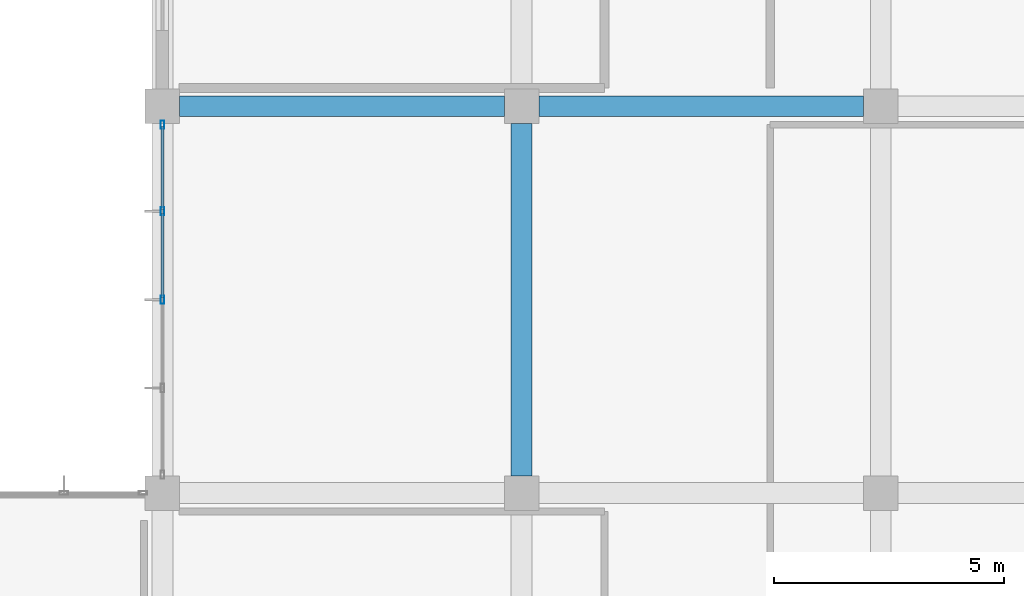
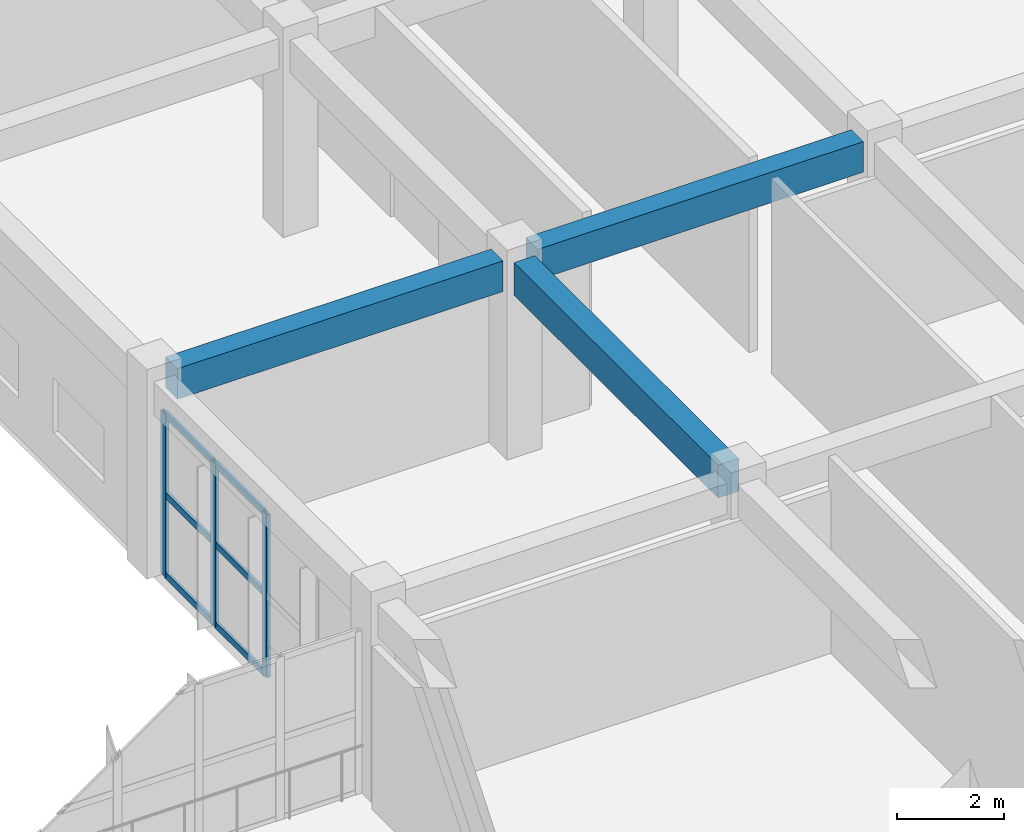
# One storey, part 49 of 167: 9 members, 3 beams, 1 element without a shape of its own.
"""IFC4 building model written with IfcOpenShell, lengths in metres."""

from ifc_helpers import new_model, si_unit, direction, frame, origin, origin_2d, place, context, subcontext, project, spatial, rectangle, hollow_rectangle, extrude, material, layer, layer_set, material_profile, profile_set, type_object, element, aggregate, save


model = new_model("IFC4")

# Units and contexts
model_context = context("Model", 3, precision=1e-05, world=origin(), true_north=direction((0.0, 1.0)))
body_context = subcontext(model_context, "Body", "Model", "MODEL_VIEW")
ifc_project = project(units=[si_unit("LENGTHUNIT", "METRE"), si_unit("AREAUNIT", "SQUARE_METRE"), si_unit("VOLUMEUNIT", "CUBIC_METRE"), si_unit("PLANEANGLEUNIT", "RADIAN"), si_unit("MASSUNIT", "GRAM", prefix="KILO")], contexts=[model_context])

# Site, building, storey
site_placement = place(None, origin())
site = spatial("IfcSite", under=ifc_project, at=site_placement, CompositionType="ELEMENT")
building_placement = place(site_placement, origin())
building = spatial("IfcBuilding", under=site, at=building_placement, Name="Zizhar Promenade General Hospital", CompositionType="ELEMENT")
storey_placement = place(building_placement, frame((0.0, 0.0, 9.60009765625)))
storey = spatial("IfcBuildingStorey", under=building, at=storey_placement, Name="L02", CompositionType="ELEMENT", Elevation=9.60009765625)

# Beams
ifc_material_1 = material(Name="Concrete C35/45", Category="concrete")
ifc_material_profile_1 = material_profile(ifc_material_1, rectangle(XDim=0.449951171875, YDim=0.699951171875, at=origin_2d()))
ifc_profile_set_1 = profile_set([ifc_material_profile_1], Name="Concrete C35/45")
beam_type_1 = type_object("IfcBeamType", Name="BM-RC-450x700", PredefinedType="BEAM", material=ifc_profile_set_1)
beam_1_placement = place(storey_placement, frame((47.175048828125, 92.39990234375, 4.119873046875), z_axis=(1.0, 0.0, 0.0), x_axis=(0.0, 1.0, 0.0)))
element("IfcBeam", 1, at=beam_1_placement, inside=storey, type_object=beam_type_1, Name="Grid Beam X L02 (6-11)", PredefinedType="BEAM", context=body_context, shape_type="SweptSolid", body=[
    extrude(rectangle(XDim=0.449951171875, YDim=0.699951171875, at=origin_2d()), origin(), (0.0, 0.0, 1.0), 7.050048828125),
])
beam_2_placement = place(storey_placement, frame((54.97509765625, 92.39990234375, 4.119873046875), z_axis=(1.0, 0.0, 0.0), x_axis=(0.0, 1.0, 0.0)))
element("IfcBeam", 2, at=beam_2_placement, inside=storey, type_object=beam_type_1, Name="Grid Beam X L02 (7-11)", PredefinedType="BEAM", context=body_context, shape_type="SweptSolid", body=[
    extrude(rectangle(XDim=0.449951171875, YDim=0.699951171875, at=origin_2d()), origin(), (0.0, 0.0, 1.0), 7.0498046875),
])
ifc_material_2 = material(Name="Concrete C35/45", Category="concrete")
ifc_material_profile_2 = material_profile(ifc_material_2, rectangle(XDim=0.449951171875, YDim=0.75, at=origin_2d()))
ifc_profile_set_2 = profile_set([ifc_material_profile_2], Name="Concrete C35/45")
beam_type_2 = type_object("IfcBeamType", Name="BM-RC-450x750", PredefinedType="BEAM", material=ifc_profile_set_2)
beam_3_placement = place(storey_placement, frame((54.60009765625, 84.375, 4.094970703125), z_axis=(0.0, 1.0, 0.0), x_axis=(-1.0, 0.0, 0.0)))
element("IfcBeam", 3, at=beam_3_placement, inside=storey, type_object=beam_type_2, Name="Grid Beam Y L02 (7-10)", PredefinedType="BEAM", context=body_context, shape_type="SweptSolid", body=[
    extrude(rectangle(XDim=0.449951171875, YDim=0.75, at=origin_2d()), origin(), (0.0, 0.0, 1.0), 7.64990234375),
])

# Curtain wall, members
ifc_material_3 = material(Name="Anodised aluminium 6063-T6 and low-E glass", Category="aluminium")
ifc_layer = layer(ifc_material_3, 0.159912109375)
ifc_layer_set = layer_set([ifc_layer], Name="Anodised aluminium 6063-T6 and low-E glass")
curtain_wall_type = type_object("IfcCurtainWallType", Name="CW-DT-MOD1", PredefinedType="NOTDEFINED", material=ifc_layer_set)
curtain_wall_placement = place(storey_placement, origin())
curtain_wall = element("IfcCurtainWall", 4, at=curtain_wall_placement, inside=storey, type_object=curtain_wall_type, Name="Surgical West Glazed Curtain Wall L02-10", PredefinedType="NOTDEFINED")
ifc_material_4 = material(Name="Anodised aluminium 6063-T6", Category="aluminium")
ifc_material_profile_3 = material_profile(ifc_material_4, hollow_rectangle(XDim=0.080078125, YDim=0.179931640625, WallThickness=0.0048828125, at=origin_2d()))
ifc_profile_set_3 = profile_set([ifc_material_profile_3], Name="Anodised aluminium 6063-T6")
member_type_1 = type_object("IfcMemberType", Name="CWM-ALU-180x80", PredefinedType="MULLION", material=ifc_profile_set_3)
member_1_placement = place(storey_placement, frame((46.800048828125, 88.199951171875, 0.0), z_axis=(0.0, 0.0, 1.0), x_axis=(-1.0, 0.0, 0.0)))
member_1 = element("IfcMember", 5, at=member_1_placement, type_object=member_type_1, Name="CW-07 mullion 3", PredefinedType="MULLION", context=body_context, shape_type="SweptSolid", body=[
    extrude(hollow_rectangle(XDim=0.080078125, YDim=0.179931640625, WallThickness=0.0048828125, at=origin_2d()), origin(), (0.0, 0.0, 1.0), 3.72998046875),
])
member_2_placement = place(storey_placement, frame((46.800048828125, 90.1201171875, 0.0), z_axis=(0.0, 0.0, 1.0), x_axis=(-1.0, 0.0, 0.0)))
member_2 = element("IfcMember", 6, at=member_2_placement, type_object=member_type_1, Name="CW-07 mullion 4", PredefinedType="MULLION", context=body_context, shape_type="SweptSolid", body=[
    extrude(hollow_rectangle(XDim=0.080078125, YDim=0.179931640625, WallThickness=0.0048828125, at=origin_2d()), origin(), (0.0, 0.0, 1.0), 3.72998046875),
])
member_3_placement = place(storey_placement, frame((46.800048828125, 92.0, 0.0), z_axis=(0.0, 0.0, 1.0), x_axis=(-1.0, 0.0, 0.0)))
member_3 = element("IfcMember", 7, at=member_3_placement, type_object=member_type_1, Name="CW-07 mullion 5", PredefinedType="MULLION", context=body_context, shape_type="SweptSolid", body=[
    extrude(hollow_rectangle(XDim=0.080078125, YDim=0.179931640625, WallThickness=0.0048828125, at=origin_2d()), origin(), (0.0, 0.0, 1.0), 3.72998046875),
])
ifc_material_5 = material(Name="Anodised aluminium 6063-T6", Category="aluminium")
ifc_material_profile_4 = material_profile(ifc_material_5, hollow_rectangle(XDim=0.06005859375, YDim=0.14990234375, WallThickness=0.00390625, at=origin_2d()))
ifc_profile_set_4 = profile_set([ifc_material_profile_4], Name="Anodised aluminium 6063-T6")
member_type_2 = type_object("IfcMemberType", Name="CWT-ALU-150x60", PredefinedType="USERDEFINED", material=ifc_profile_set_4)
member_4_placement = place(storey_placement, frame((46.800048828125, 88.239990234375, 0.02978515625), z_axis=(0.0, 1.0, 0.0), x_axis=(-1.0, 0.0, 0.0)))
member_4 = element("IfcMember", 8, at=member_4_placement, type_object=member_type_2, Name="CW-07 transom 3.1", ObjectType="TRANSOM", PredefinedType="USERDEFINED", context=body_context, shape_type="SweptSolid", body=[
    extrude(hollow_rectangle(XDim=0.06005859375, YDim=0.14990234375, WallThickness=0.00390625, at=origin_2d()), origin(), (0.0, 0.0, 1.0), 1.840087890625),
])
member_5_placement = place(storey_placement, frame((46.800048828125, 88.239990234375, 1.864990234375), z_axis=(0.0, 1.0, 0.0), x_axis=(-1.0, 0.0, 0.0)))
member_5 = element("IfcMember", 9, at=member_5_placement, type_object=member_type_2, Name="CW-07 transom 3.2", ObjectType="TRANSOM", PredefinedType="USERDEFINED", context=body_context, shape_type="SweptSolid", body=[
    extrude(hollow_rectangle(XDim=0.06005859375, YDim=0.14990234375, WallThickness=0.00390625, at=origin_2d()), origin(), (0.0, 0.0, 1.0), 1.840087890625),
])
member_6_placement = place(storey_placement, frame((46.800048828125, 88.239990234375, 3.699951171875), z_axis=(0.0, 1.0, 0.0), x_axis=(-1.0, 0.0, 0.0)))
member_6 = element("IfcMember", 10, at=member_6_placement, type_object=member_type_2, Name="CW-07 transom 3.3", ObjectType="TRANSOM", PredefinedType="USERDEFINED", context=body_context, shape_type="SweptSolid", body=[
    extrude(hollow_rectangle(XDim=0.06005859375, YDim=0.14990234375, WallThickness=0.00390625, at=origin_2d()), origin(), (0.0, 0.0, 1.0), 1.840087890625),
])
member_7_placement = place(storey_placement, frame((46.800048828125, 90.159912109375, 0.02978515625), z_axis=(0.0, 1.0, 0.0), x_axis=(-1.0, 0.0, 0.0)))
member_7 = element("IfcMember", 11, at=member_7_placement, type_object=member_type_2, Name="CW-07 transom 4.1", ObjectType="TRANSOM", PredefinedType="USERDEFINED", context=body_context, shape_type="SweptSolid", body=[
    extrude(hollow_rectangle(XDim=0.06005859375, YDim=0.14990234375, WallThickness=0.00390625, at=origin_2d()), origin(), (0.0, 0.0, 1.0), 1.800048828125),
])
member_8_placement = place(storey_placement, frame((46.800048828125, 90.159912109375, 1.864990234375), z_axis=(0.0, 1.0, 0.0), x_axis=(-1.0, 0.0, 0.0)))
member_8 = element("IfcMember", 12, at=member_8_placement, type_object=member_type_2, Name="CW-07 transom 4.2", ObjectType="TRANSOM", PredefinedType="USERDEFINED", context=body_context, shape_type="SweptSolid", body=[
    extrude(hollow_rectangle(XDim=0.06005859375, YDim=0.14990234375, WallThickness=0.00390625, at=origin_2d()), origin(), (0.0, 0.0, 1.0), 1.800048828125),
])
member_9_placement = place(storey_placement, frame((46.800048828125, 90.159912109375, 3.699951171875), z_axis=(0.0, 1.0, 0.0), x_axis=(-1.0, 0.0, 0.0)))
member_9 = element("IfcMember", 13, at=member_9_placement, type_object=member_type_2, Name="CW-07 transom 4.3", ObjectType="TRANSOM", PredefinedType="USERDEFINED", context=body_context, shape_type="SweptSolid", body=[
    extrude(hollow_rectangle(XDim=0.06005859375, YDim=0.14990234375, WallThickness=0.00390625, at=origin_2d()), origin(), (0.0, 0.0, 1.0), 1.800048828125),
])
aggregate(curtain_wall, [member_1, member_2, member_3, member_4, member_5, member_6, member_7, member_8, member_9])

save(model, "model.ifc")
